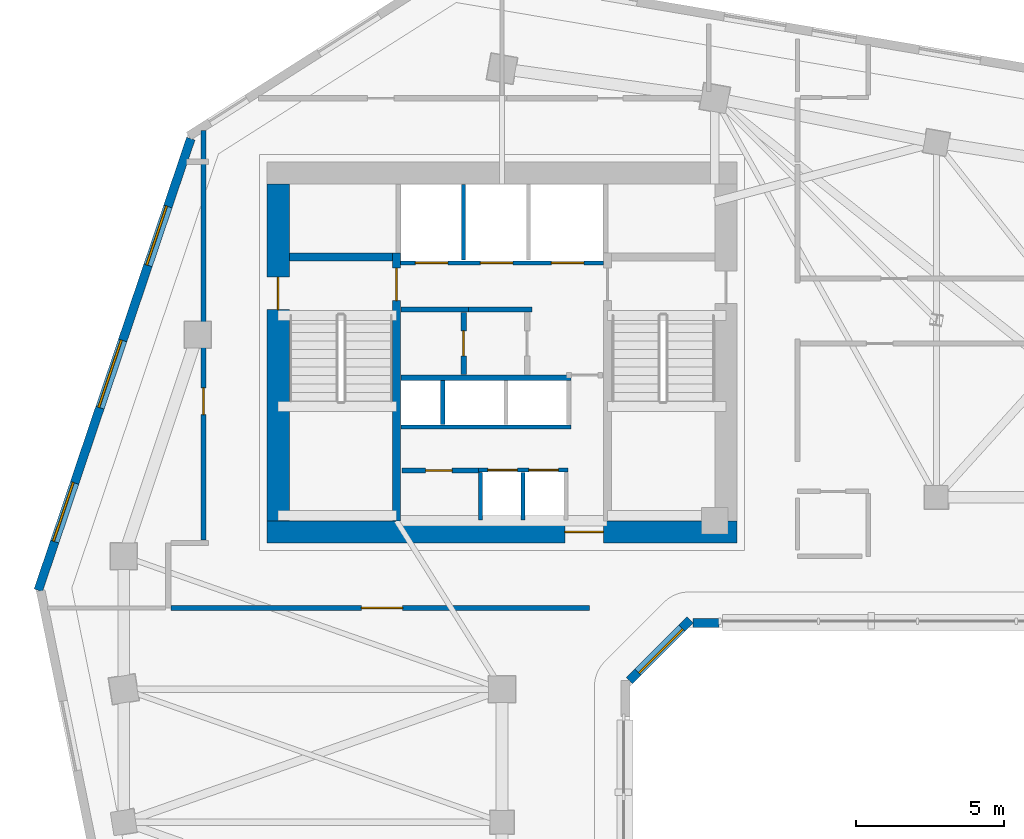
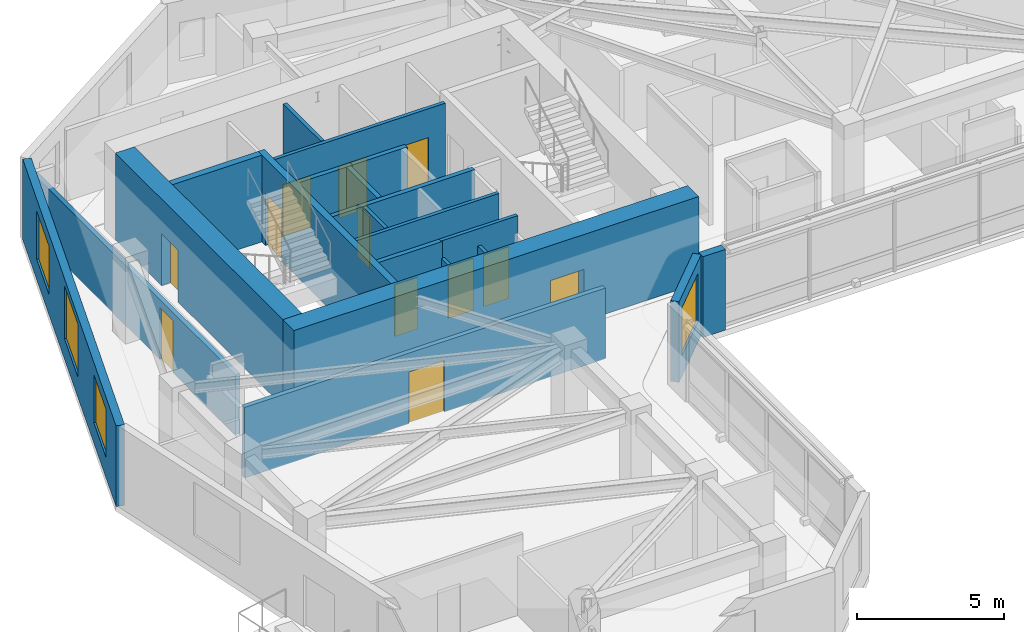
# One storey, part 5 of 11: 21 walls, 12 doors, 4 windows, 16 openings.
"""IFC4 building model written with IfcOpenShell, lengths in metres."""

from ifc_helpers import new_model, si_unit, direction, frame, frame_2d, origin, place, context, subcontext, project, spatial, rectangle, extrude, source, transform, mapped, material, layer, layer_set, type_object, element, fill, save


model = new_model("IFC4")

# Units and contexts
model_context = context("Model", 3, precision=1e-05, world=origin(), true_north=direction((0.0, 1.0)))
body_context = subcontext(model_context, "Body", "Model", "MODEL_VIEW")
ifc_project = project(units=[si_unit("LENGTHUNIT", "METRE"), si_unit("AREAUNIT", "SQUARE_METRE"), si_unit("VOLUMEUNIT", "CUBIC_METRE"), si_unit("PLANEANGLEUNIT", "RADIAN"), si_unit("MASSUNIT", "GRAM", prefix="KILO")], contexts=[model_context])

# Site, building, storey
site_placement = place(None, origin())
site = spatial("IfcSite", under=ifc_project, at=site_placement, CompositionType="ELEMENT")
building_placement = place(site_placement, origin())
building = spatial("IfcBuilding", under=site, at=building_placement, Name="Calvemar Wedge Station Tower", CompositionType="ELEMENT")
storey_placement = place(building_placement, frame((0.0, 0.0, 157.39990234375)))
storey = spatial("IfcBuildingStorey", under=building, at=storey_placement, Name="L39", CompositionType="ELEMENT", Elevation=157.39990234375)

# Wall, opening, door
ifc_material_1 = material(Name="Concrete C50", Category="concrete")
ifc_layer_1 = layer(ifc_material_1, 0.260009765625)
ifc_layer_set_1 = layer_set([ifc_layer_1], Name="Concrete C50")
wall_type_1 = type_object("IfcWallType", Name="SW-CORE-260", PredefinedType="SHEAR", material=ifc_layer_set_1)
wall_1_placement = place(storey_placement, frame((20.22998046875, 34.199951171875, 0.0), z_axis=(0.0, 0.0, 1.0), x_axis=(0.0, 1.0, 0.0)))
wall_1 = element("IfcWall", 1, at=wall_1_placement, inside=storey, type_object=wall_type_1, Name="Storey L39 Core Shear Wall SPINE-W", PredefinedType="SHEAR", context=body_context, shape_type="SweptSolid", body=[
    extrude(rectangle(XDim=9.06005859375, YDim=0.260009765625, at=frame_2d((4.530029296875, 0.0))), origin(), (0.0, 0.0, 1.0), 3.60009765625),
])
shared_shape_1 = source(origin(), body_context, "Body", "SweptSolid", [
    extrude(rectangle(XDim=1.10009765625, YDim=2.14990234375, at=frame_2d((0.550048828125, 1.074951171875))), frame((0.0, 0.14013671875, 0.0), z_axis=(0.0, -1.0, 0.0), x_axis=(1.0, 0.0, 0.0)), (0.0, 0.0, 1.0), 0.280029296875),
])
opening_1_placement = place(wall_1_placement, frame((7.449951171875, 0.0, 0.0)))
opening_1 = element("IfcOpeningElement", 2, at=opening_1_placement, cuts=wall_1, Name="Opening FD-90", PredefinedType="OPENING", context=body_context, shape_type="MappedRepresentation", body=[
    mapped(shared_shape_1, transform((0.0, 0.0, 0.0), scale=1.0)),
])
ifc_material_2 = material(Name="Galvanized fire-rated steel door leaf P-90", Category="steel")
door_type_1 = type_object("IfcDoorType", Name="DR-FD90-1100", OperationType="NOTDEFINED", PredefinedType="DOOR", material=ifc_material_2)
shared_shape_2 = source(origin(), body_context, "Body", "SweptSolid", [
    extrude(rectangle(XDim=1.10009765625, YDim=2.14990234375, at=frame_2d((0.550048828125, 1.074951171875))), frame((0.0, 0.02490234375, 0.0), z_axis=(0.0, -1.0, 0.0), x_axis=(1.0, 0.0, 0.0)), (0.0, 0.0, 1.0), 0.050048828125),
])
door_1_placement = place(opening_1_placement, origin())
door_1 = element("IfcDoor", 3, at=door_1_placement, inside=storey, type_object=door_type_1, Name="L39 FF Lobby to Stair ST-C1 Door", OperationType="SINGLE_SWING_RIGHT", OverallHeight=2.14990234375, OverallWidth=1.10009765625, PredefinedType="DOOR", context=body_context, shape_type="MappedRepresentation", body=[
    mapped(shared_shape_2, transform((0.0, 0.0, 0.0), scale=1.0)),
])
fill(opening_1, door_1)

# Wall
wall_2_placement = place(storey_placement, frame((16.60009765625, 43.1298828125, 0.0), z_axis=(0.0, 0.0, 1.0), x_axis=(1.0, 0.0, 0.0)))
element("IfcWall", 4, at=wall_2_placement, inside=storey, type_object=wall_type_1, Name="Storey L39 Core Shear Wall STC1-N", PredefinedType="SHEAR", context=body_context, shape_type="SweptSolid", body=[
    extrude(rectangle(XDim=3.5, YDim=0.260009765625, at=frame_2d((1.75, 0.0))), origin(), (0.0, 0.0, 1.0), 3.60009765625),
])

# Wall, opening, door
ifc_material_3 = material(Name="Concrete C70", Category="concrete")
ifc_layer_2 = layer(ifc_material_3, 0.75)
ifc_layer_set_2 = layer_set([ifc_layer_2], Name="Concrete C70")
wall_type_2 = type_object("IfcWallType", Name="SW-CORE-750", PredefinedType="SHEAR", material=ifc_layer_set_2)
wall_3_placement = place(storey_placement, frame((15.85009765625, 33.824951171875, 0.0), z_axis=(0.0, 0.0, 1.0), x_axis=(1.0, 0.0, 0.0)))
wall_3 = element("IfcWall", 5, at=wall_3_placement, inside=storey, type_object=wall_type_2, Name="Storey L39 Core Shear Wall S", PredefinedType="SHEAR", context=body_context, shape_type="SweptSolid", body=[
    extrude(rectangle(XDim=15.89990234375, YDim=0.75, at=frame_2d((7.949951171875, 0.0))), origin(), (0.0, 0.0, 1.0), 3.60009765625),
])
shared_shape_3 = source(origin(), body_context, "Body", "SweptSolid", [
    extrude(rectangle(XDim=1.300048828125, YDim=2.14990234375, at=frame_2d((0.64990234375, 1.074951171875))), frame((0.0, 0.385009765625, 0.0), z_axis=(0.0, -1.0, 0.0), x_axis=(1.0, 0.0, 0.0)), (0.0, 0.0, 1.0), 0.77001953125),
])
opening_2_placement = place(wall_3_placement, frame((10.080078125, 0.0, 0.0)))
opening_2 = element("IfcOpeningElement", 6, at=opening_2_placement, cuts=wall_3, Name="Opening DD-130", PredefinedType="OPENING", context=body_context, shape_type="MappedRepresentation", body=[
    mapped(shared_shape_3, transform((0.0, 0.0, 0.0), scale=1.0)),
])
ifc_material_4 = material(Name="Double-leaf lift lobby fire door EI 60")
door_type_2 = type_object("IfcDoorType", Name="DR-DBL-1300", OperationType="DOUBLE_DOOR_SINGLE_SWING", PredefinedType="DOOR", material=ifc_material_4)
shared_shape_4 = source(origin(), body_context, "Body", "SweptSolid", [
    extrude(rectangle(XDim=1.300048828125, YDim=2.14990234375, at=frame_2d((0.64990234375, 1.074951171875))), frame((0.0, 0.02490234375, 0.0), z_axis=(0.0, -1.0, 0.0), x_axis=(1.0, 0.0, 0.0)), (0.0, 0.0, 1.0), 0.050048828125),
])
door_2_placement = place(opening_2_placement, origin())
door_2 = element("IfcDoor", 7, at=door_2_placement, inside=storey, type_object=door_type_2, Name="L39 Passenger Lift Lobby Door", OperationType="DOUBLE_DOOR_SINGLE_SWING", OverallHeight=2.14990234375, OverallWidth=1.300048828125, PredefinedType="DOOR", context=body_context, shape_type="MappedRepresentation", body=[
    mapped(shared_shape_4, transform((0.0, 0.0, 0.0), scale=1.0)),
])
fill(opening_2, door_2)

wall_4_placement = place(storey_placement, frame((16.22509765625, 34.199951171875, 0.0), z_axis=(0.0, 0.0, 1.0), x_axis=(0.0, 1.0, 0.0)))
wall_4 = element("IfcWall", 8, at=wall_4_placement, inside=storey, type_object=wall_type_2, Name="Storey L39 Core Shear Wall W", PredefinedType="SHEAR", context=body_context, shape_type="SweptSolid", body=[
    extrude(rectangle(XDim=11.400146484375, YDim=0.75, at=frame_2d((5.7001953125, 0.0))), origin(), (0.0, 0.0, 1.0), 3.60009765625),
])
shared_shape_5 = source(origin(), body_context, "Body", "SweptSolid", [
    extrude(rectangle(XDim=1.10009765625, YDim=2.14990234375, at=frame_2d((0.550048828125, 1.074951171875))), frame((0.0, 0.385009765625, 0.0), z_axis=(0.0, -1.0, 0.0), x_axis=(1.0, 0.0, 0.0)), (0.0, 0.0, 1.0), 0.77001953125),
])
opening_3_placement = place(wall_4_placement, frame((7.14990234375, 0.0, 0.0)))
opening_3 = element("IfcOpeningElement", 9, at=opening_3_placement, cuts=wall_4, Name="Opening FD-90", PredefinedType="OPENING", context=body_context, shape_type="MappedRepresentation", body=[
    mapped(shared_shape_5, transform((0.0, 0.0, 0.0), scale=1.0)),
])
door_3_placement = place(opening_3_placement, origin())
door_3 = element("IfcDoor", 10, at=door_3_placement, inside=storey, type_object=door_type_1, Name="L39 West Corridor to Exit Stair ST-C1 Door", OperationType="SINGLE_SWING_RIGHT", OverallHeight=2.14990234375, OverallWidth=1.10009765625, PredefinedType="DOOR", context=body_context, shape_type="MappedRepresentation", body=[
    mapped(shared_shape_2, transform((0.0, 0.0, 0.0), scale=1.0)),
])
fill(opening_3, door_3)

# Walls
ifc_material_5 = material(Name="Double-stud fire-rated corridor partition")
ifc_layer_3 = layer(ifc_material_5, 0.179931640625)
ifc_layer_set_3 = layer_set([ifc_layer_3], Name="Double-stud fire-rated corridor partition")
wall_type_3 = type_object("IfcWallType", Name="W-CORR-180", PredefinedType="PARTITIONING", material=ifc_layer_set_3)
wall_5_placement = place(storey_placement, frame((22.659912109375, 41.35009765625, 0.0), z_axis=(0.0, 0.0, 1.0), x_axis=(-1.0, 0.0, 0.0)))
element("IfcWall", 11, at=wall_5_placement, inside=storey, type_object=wall_type_3, Name="Storey L39 Interior Partition WL-L39-001", PredefinedType="PARTITIONING", context=body_context, shape_type="SweptSolid", body=[
    extrude(rectangle(XDim=2.280029296875, YDim=0.179931640625, at=frame_2d((1.14013671875, 0.0))), origin(), (0.0, 0.0, 1.0), 3.35009765625),
])
wall_6_placement = place(storey_placement, frame((24.81005859375, 41.35009765625, 0.0), z_axis=(0.0, 0.0, 1.0), x_axis=(-1.0, 0.0, 0.0)))
element("IfcWall", 12, at=wall_6_placement, inside=storey, type_object=wall_type_3, Name="Storey L39 Interior Partition WL-L39-002", PredefinedType="PARTITIONING", context=body_context, shape_type="SweptSolid", body=[
    extrude(rectangle(XDim=2.14794921875, YDim=0.179931640625, at=frame_2d((1.073974609375, 0.0))), origin(), (0.0, 0.0, 1.0), 3.35009765625),
])

# Wall, opening, door
wall_7_placement = place(storey_placement, frame((22.5, 41.256103515625, 0.0), z_axis=(0.0, 0.0, 1.0), x_axis=(0.0, -1.0, 0.0)))
wall_7 = element("IfcWall", 13, at=wall_7_placement, inside=storey, type_object=wall_type_3, Name="Storey L39 Interior Partition WL-L39-003", PredefinedType="PARTITIONING", context=body_context, shape_type="SweptSolid", body=[
    extrude(rectangle(XDim=2.106201171875, YDim=0.179931640625, at=frame_2d((1.05322265625, 0.0))), origin(), (0.0, 0.0, 1.0), 3.35009765625),
])
shared_shape_6 = source(origin(), body_context, "Body", "SweptSolid", [
    extrude(rectangle(XDim=0.85009765625, YDim=2.14990234375, at=frame_2d((0.425048828125, 1.074951171875))), frame((0.0, 0.10009765625, 0.0), z_axis=(0.0, -1.0, 0.0), x_axis=(1.0, 0.0, 0.0)), (0.0, 0.0, 1.0), 0.199951171875),
])
opening_4_placement = place(wall_7_placement, frame((0.6279296875, 0.0, 0.0)))
opening_4 = element("IfcOpeningElement", 14, at=opening_4_placement, cuts=wall_7, Name="Opening FD-60S", PredefinedType="OPENING", context=body_context, shape_type="MappedRepresentation", body=[
    mapped(shared_shape_6, transform((0.0, 0.0, 0.0), scale=1.0)),
])
ifc_material_6 = material(Name="Fire-rated steel and hardwood service door EI 60", Category="steel")
door_type_3 = type_object("IfcDoorType", Name="DR-CORE-FD60-850", OperationType="NOTDEFINED", PredefinedType="DOOR", material=ifc_material_6)
shared_shape_7 = source(origin(), body_context, "Body", "SweptSolid", [
    extrude(rectangle(XDim=0.85009765625, YDim=2.14990234375, at=frame_2d((0.425048828125, 1.074951171875))), frame((0.0, 0.02490234375, 0.0), z_axis=(0.0, -1.0, 0.0), x_axis=(1.0, 0.0, 0.0)), (0.0, 0.0, 1.0), 0.050048828125),
])
door_4_placement = place(opening_4_placement, origin())
door_4 = element("IfcDoor", 15, at=door_4_placement, inside=storey, type_object=door_type_3, Name="L39 IT and Telecoms Room Door", OperationType="SINGLE_SWING_RIGHT", OverallHeight=2.14990234375, OverallWidth=0.85009765625, PredefinedType="DOOR", context=body_context, shape_type="MappedRepresentation", body=[
    mapped(shared_shape_7, transform((0.0, 0.0, 0.0), scale=1.0)),
])
fill(opening_4, door_4)

wall_8_placement = place(storey_placement, frame((20.419921875, 35.89990234375, 0.0), z_axis=(0.0, 0.0, 1.0), x_axis=(1.0, 0.0, 0.0)))
wall_8 = element("IfcWall", 16, at=wall_8_placement, inside=storey, type_object=wall_type_3, Name="Storey L39 Interior Partition WL-L39-006", PredefinedType="PARTITIONING", context=body_context, shape_type="SweptSolid", body=[
    extrude(rectangle(XDim=2.6201171875, YDim=0.179931640625, at=frame_2d((1.31005859375, 0.0))), origin(), (0.0, 0.0, 1.0), 3.35009765625),
])
shared_shape_8 = source(origin(), body_context, "Body", "SweptSolid", [
    extrude(rectangle(XDim=0.89990234375, YDim=2.14990234375, at=frame_2d((0.449951171875, 1.074951171875))), frame((0.0, 0.10009765625, 0.0), z_axis=(0.0, -1.0, 0.0), x_axis=(1.0, 0.0, 0.0)), (0.0, 0.0, 1.0), 0.199951171875),
])
opening_5_placement = place(wall_8_placement, frame((0.795654296875, 0.0, 0.0)))
opening_5 = element("IfcOpeningElement", 17, at=opening_5_placement, cuts=wall_8, Name="Opening FD-60", PredefinedType="OPENING", context=body_context, shape_type="MappedRepresentation", body=[
    mapped(shared_shape_8, transform((0.0, 0.0, 0.0), scale=1.0)),
])
ifc_material_7 = material(Name="Fire-rated acoustic timber-core entrance door EI 60", Category="wood")
door_type_4 = type_object("IfcDoorType", Name="DR-FD60-900", OperationType="NOTDEFINED", PredefinedType="DOOR", material=ifc_material_7)
shared_shape_9 = source(origin(), body_context, "Body", "SweptSolid", [
    extrude(rectangle(XDim=0.89990234375, YDim=2.14990234375, at=frame_2d((0.449951171875, 1.074951171875))), frame((0.0, 0.02490234375, 0.0), z_axis=(0.0, -1.0, 0.0), x_axis=(1.0, 0.0, 0.0)), (0.0, 0.0, 1.0), 0.050048828125),
])
door_5_placement = place(opening_5_placement, origin())
door_5 = element("IfcDoor", 18, at=door_5_placement, inside=storey, type_object=door_type_4, Name="L39 Housekeeping Store Door", OperationType="SINGLE_SWING_LEFT", OverallHeight=2.14990234375, OverallWidth=0.89990234375, PredefinedType="DOOR", context=body_context, shape_type="MappedRepresentation", body=[
    mapped(shared_shape_9, transform((0.0, 0.0, 0.0), scale=1.0)),
])
fill(opening_5, door_5)

wall_9_placement = place(storey_placement, frame((26.760009765625, 31.25, 0.0), z_axis=(0.0, 0.0, 1.0), x_axis=(-1.0, 0.0, 0.0)))
wall_9 = element("IfcWall", 19, at=wall_9_placement, inside=storey, type_object=wall_type_3, Name="Storey L39 Interior Partition WL-L39-009", PredefinedType="PARTITIONING", context=body_context, shape_type="SweptSolid", body=[
    extrude(rectangle(XDim=14.166015625, YDim=0.179931640625, at=frame_2d((7.0830078125, 0.0))), origin(), (0.0, 0.0, 1.0), 2.93505859375),
])
shared_shape_10 = source(origin(), body_context, "Body", "SweptSolid", [
    extrude(rectangle(XDim=1.39990234375, YDim=2.14990234375, at=frame_2d((0.699951171875, 1.074951171875))), frame((0.0, 0.10009765625, 0.0), z_axis=(0.0, -1.0, 0.0), x_axis=(1.0, 0.0, 0.0)), (0.0, 0.0, 1.0), 0.199951171875),
])
opening_6_placement = place(wall_9_placement, frame((6.322509765625, 0.0, 0.0)))
opening_6 = element("IfcOpeningElement", 20, at=opening_6_placement, cuts=wall_9, Name="Opening DD-140", PredefinedType="OPENING", context=body_context, shape_type="MappedRepresentation", body=[
    mapped(shared_shape_10, transform((0.0, 0.0, 0.0), scale=1.0)),
])
ifc_material_8 = material(Name="Double-leaf corridor acoustic fire door EI 60")
door_type_5 = type_object("IfcDoorType", Name="DR-DBL-1400", OperationType="DOUBLE_DOOR_SINGLE_SWING", PredefinedType="DOOR", material=ifc_material_8)
shared_shape_11 = source(origin(), body_context, "Body", "SweptSolid", [
    extrude(rectangle(XDim=1.39990234375, YDim=2.14990234375, at=frame_2d((0.699951171875, 1.074951171875))), frame((0.0, 0.02490234375, 0.0), z_axis=(0.0, -1.0, 0.0), x_axis=(1.0, 0.0, 0.0)), (0.0, 0.0, 1.0), 0.050048828125),
])
door_6_placement = place(opening_6_placement, origin())
door_6 = element("IfcDoor", 21, at=door_6_placement, inside=storey, type_object=door_type_5, Name="L39 Sky Spa Wellness Lounge Door", OperationType="SINGLE_SWING_LEFT", OverallHeight=2.14990234375, OverallWidth=1.39990234375, PredefinedType="DOOR", context=body_context, shape_type="MappedRepresentation", body=[
    mapped(shared_shape_11, transform((0.0, 0.0, 0.0), scale=1.0)),
])
fill(opening_6, door_6)

wall_10_placement = place(storey_placement, frame((13.699951171875, 33.5439453125, 0.0), z_axis=(0.0, 0.0, 1.0), x_axis=(0.0, 1.0, 0.0)))
wall_10 = element("IfcWall", 22, at=wall_10_placement, inside=storey, type_object=wall_type_3, Name="Storey L39 Interior Partition WL-L39-010", PredefinedType="PARTITIONING", context=body_context, shape_type="SweptSolid", body=[
    extrude(rectangle(XDim=13.860107421875, YDim=0.179931640625, at=frame_2d((6.93017578125, 0.0))), origin(), (0.0, 0.0, 1.0), 2.4921875),
])
opening_7_placement = place(wall_10_placement, frame((4.252685546875, 0.0, 0.0)))
opening_7 = element("IfcOpeningElement", 23, at=opening_7_placement, cuts=wall_10, Name="Opening D-01", PredefinedType="OPENING", context=body_context, shape_type="MappedRepresentation", body=[
    mapped(shared_shape_8, transform((0.0, 0.0, 0.0), scale=1.0)),
])
ifc_material_9 = material(Name="Architectural hardwood acoustic swing door", Category="wood")
door_type_6 = type_object("IfcDoorType", Name="DR-INT-900", OperationType="NOTDEFINED", PredefinedType="DOOR", material=ifc_material_9)
shared_shape_12 = source(origin(), body_context, "Body", "SweptSolid", [
    extrude(rectangle(XDim=0.89990234375, YDim=2.14990234375, at=frame_2d((0.449951171875, 1.074951171875))), frame((0.0, 0.02490234375, 0.0), z_axis=(0.0, -1.0, 0.0), x_axis=(1.0, 0.0, 0.0)), (0.0, 0.0, 1.0), 0.050048828125),
])
door_7_placement = place(opening_7_placement, origin())
door_7 = element("IfcDoor", 24, at=door_7_placement, inside=storey, type_object=door_type_6, Name="L39 Executive Lounge Door", OperationType="SINGLE_SWING_RIGHT", OverallHeight=2.14990234375, OverallWidth=0.89990234375, PredefinedType="DOOR", context=body_context, shape_type="MappedRepresentation", body=[
    mapped(shared_shape_12, transform((0.0, 0.0, 0.0), scale=1.0)),
])
fill(opening_7, door_7)

# Wall, opening, window
ifc_material_10 = material(Name="Precast concrete C45", Category="concrete")
ifc_layer_4 = layer(ifc_material_10, 0.300048828125)
ifc_layer_set_4 = layer_set([ifc_layer_4], Name="Precast concrete C45")
wall_type_4 = type_object("IfcWallType", Name="W-EXT-GFRC-300", PredefinedType="SOLIDWALL", material=ifc_layer_set_4)
wall_11_placement = place(storey_placement, frame((28.115966796875, 28.7919921875, 0.0), z_axis=(0.0, 0.0, 1.0), x_axis=(0.707064797706, 0.707148762175, 0.0)))
wall_11 = element("IfcWall", 25, at=wall_11_placement, inside=storey, type_object=wall_type_4, Name="Storey L39 Bronze GFRC Exterior Wall 5", PredefinedType="SOLIDWALL", context=body_context, shape_type="SweptSolid", body=[
    extrude(rectangle(XDim=2.90771484375, YDim=0.300048828125, at=frame_2d((1.453857421875, 0.0))), origin(), (0.0, 0.0, 1.0), 3.35009765625),
])
shared_shape_13 = source(origin(), body_context, "Body", "SweptSolid", [
    extrude(rectangle(XDim=2.10009765625, YDim=2.0, at=frame_2d((1.050048828125, 1.0))), frame((0.0, 0.16015625, 0.0), z_axis=(0.0, -1.0, 0.0), x_axis=(1.0, 0.0, 0.0)), (0.0, 0.0, 1.0), 0.320068359375),
])
opening_8_placement = place(wall_11_placement, frame((0.404052734375, 0.0, 0.85009765625)))
opening_8 = element("IfcOpeningElement", 26, at=opening_8_placement, cuts=wall_11, Name="Opening W4", PredefinedType="OPENING", context=body_context, shape_type="MappedRepresentation", body=[
    mapped(shared_shape_13, transform((0.0, 0.0, 0.0), scale=1.0)),
])
ifc_material_11 = material(Name="Low-E laminated insulated glass", Category="glass")
window_type_1 = type_object("IfcWindowType", Name="WIN-EXT-4", PartitioningType="SINGLE_PANEL", PredefinedType="WINDOW", material=ifc_material_11)
shared_shape_14 = source(origin(), body_context, "Body", "SweptSolid", [
    extrude(rectangle(XDim=2.10009765625, YDim=2.0, at=frame_2d((1.050048828125, 1.0))), frame((0.0, -0.014892578125, 0.0), z_axis=(0.0, -1.0, 0.0), x_axis=(1.0, 0.0, 0.0)), (0.0, 0.0, 1.0), 0.06005859375),
])
window_1_placement = place(opening_8_placement, origin())
window_1 = element("IfcWindow", 27, at=window_1_placement, inside=storey, type_object=window_type_1, Name="Storey L39 Recessed Window 5.1", OverallHeight=2.0, OverallWidth=2.10009765625, PartitioningType="SINGLE_PANEL", PredefinedType="WINDOW", context=body_context, shape_type="MappedRepresentation", body=[
    mapped(shared_shape_14, transform((0.0, 0.0, 0.0), scale=1.0)),
])
fill(opening_8, window_1)

# Wall
wall_12_placement = place(storey_placement, frame((30.260986328125, 30.741943359375, 0.0), z_axis=(0.0, 0.0, 1.0), x_axis=(1.0, 0.0, 0.0)))
element("IfcWall", 28, at=wall_12_placement, inside=storey, type_object=wall_type_4, Name="Storey L39 Bronze GFRC Corner Pier 6A", PredefinedType="SOLIDWALL", context=body_context, shape_type="SweptSolid", body=[
    extrude(rectangle(XDim=0.88232421875, YDim=0.300048828125, at=frame_2d((0.441162109375, 0.0))), origin(), (0.0, 0.0, 1.0), 3.35009765625),
])

# Wall, openings, windows
wall_13_placement = place(storey_placement, frame((13.2685546875, 47.1337890625, 0.0), z_axis=(0.0, 0.0, 1.0), x_axis=(-0.319929773322, -0.947441259468, 0.0)))
wall_13 = element("IfcWall", 29, at=wall_13_placement, inside=storey, type_object=wall_type_4, Name="Storey L39 Bronze GFRC Exterior Wall 12", PredefinedType="SOLIDWALL", context=body_context, shape_type="SweptSolid", body=[
    extrude(rectangle(XDim=16.133544921875, YDim=0.300048828125, at=frame_2d((8.06689453125, 0.0))), origin(), (0.0, 0.0, 1.0), 3.35009765625),
])
opening_9_placement = place(wall_13_placement, frame((2.426025390625, 0.0, 0.85009765625)))
opening_9 = element("IfcOpeningElement", 30, at=opening_9_placement, cuts=wall_13, Name="Opening W4", PredefinedType="OPENING", context=body_context, shape_type="MappedRepresentation", body=[
    mapped(shared_shape_13, transform((0.0, 0.0, 0.0), scale=1.0)),
])
shared_shape_15 = source(origin(), body_context, "Body", "SweptSolid", [
    extrude(rectangle(XDim=2.39990234375, YDim=2.199951171875, at=frame_2d((1.199951171875, 1.10009765625))), frame((0.0, 0.16015625, 0.0), z_axis=(0.0, -1.0, 0.0), x_axis=(1.0, 0.0, 0.0)), (0.0, 0.0, 1.0), 0.320068359375),
])
opening_10_placement = place(wall_13_placement, frame((7.2109375, 0.0, 0.85009765625)))
opening_10 = element("IfcOpeningElement", 31, at=opening_10_placement, cuts=wall_13, Name="Opening W1", PredefinedType="OPENING", context=body_context, shape_type="MappedRepresentation", body=[
    mapped(shared_shape_15, transform((0.0, 0.0, 0.0), scale=1.0)),
])
opening_11_placement = place(wall_13_placement, frame((12.2958984375, 0.0, 0.85009765625)))
opening_11 = element("IfcOpeningElement", 32, at=opening_11_placement, cuts=wall_13, Name="Opening W4", PredefinedType="OPENING", context=body_context, shape_type="MappedRepresentation", body=[
    mapped(shared_shape_13, transform((0.0, 0.0, 0.0), scale=1.0)),
])
window_2_placement = place(opening_9_placement, origin())
window_2 = element("IfcWindow", 33, at=window_2_placement, inside=storey, type_object=window_type_1, Name="Storey L39 Recessed Window 12.1", OverallHeight=2.0, OverallWidth=2.10009765625, PartitioningType="SINGLE_PANEL", PredefinedType="WINDOW", context=body_context, shape_type="MappedRepresentation", body=[
    mapped(shared_shape_14, transform((0.0, 0.0, 0.0), scale=1.0)),
])
fill(opening_9, window_2)
window_3_placement = place(opening_11_placement, origin())
window_3 = element("IfcWindow", 34, at=window_3_placement, inside=storey, type_object=window_type_1, Name="Storey L39 Recessed Window 12.3", OverallHeight=2.0, OverallWidth=2.10009765625, PartitioningType="SINGLE_PANEL", PredefinedType="WINDOW", context=body_context, shape_type="MappedRepresentation", body=[
    mapped(shared_shape_14, transform((0.0, 0.0, 0.0), scale=1.0)),
])
fill(opening_11, window_3)
window_type_2 = type_object("IfcWindowType", Name="WIN-EXT-1", PartitioningType="SINGLE_PANEL", PredefinedType="WINDOW", material=ifc_material_11)
shared_shape_16 = source(origin(), body_context, "Body", "SweptSolid", [
    extrude(rectangle(XDim=2.39990234375, YDim=2.199951171875, at=frame_2d((1.199951171875, 1.10009765625))), frame((0.0, -0.014892578125, 0.0), z_axis=(0.0, -1.0, 0.0), x_axis=(1.0, 0.0, 0.0)), (0.0, 0.0, 1.0), 0.06005859375),
])
window_4_placement = place(opening_10_placement, origin())
window_4 = element("IfcWindow", 35, at=window_4_placement, inside=storey, type_object=window_type_2, Name="Storey L39 Recessed Window 12.2", OverallHeight=2.199951171875, OverallWidth=2.39990234375, PartitioningType="SINGLE_PANEL", PredefinedType="WINDOW", context=body_context, shape_type="MappedRepresentation", body=[
    mapped(shared_shape_16, transform((0.0, 0.0, 0.0), scale=1.0)),
])
fill(opening_10, window_4)

# Wall, openings, doors
ifc_material_12 = material(Name="Reinforced concrete blockwork lift shaft wall", Category="masonry")
ifc_layer_5 = layer(ifc_material_12, 0.139892578125)
ifc_layer_set_5 = layer_set([ifc_layer_5], Name="Reinforced concrete blockwork lift shaft wall")
wall_type_5 = type_object("IfcWallType", Name="W-LIFT-160", PredefinedType="SOLIDWALL", material=ifc_layer_set_5)
wall_14_placement = place(storey_placement, frame((20.3701171875, 42.929931640625, 0.0), z_axis=(0.0, 0.0, 1.0), x_axis=(1.0, 0.0, 0.0)))
wall_14 = element("IfcWall", 36, at=wall_14_placement, inside=storey, type_object=wall_type_5, Name="Storey L39 Firefighting and Service Lift Shaft Front Wall", PredefinedType="SOLIDWALL", context=body_context, shape_type="SweptSolid", body=[
    extrude(rectangle(XDim=6.85986328125, YDim=0.139892578125, at=frame_2d((3.429931640625, 0.0))), origin(), (0.0, 0.0, 1.0), 3.35009765625),
])
shared_shape_17 = source(origin(), body_context, "Body", "SweptSolid", [
    extrude(rectangle(XDim=1.10009765625, YDim=2.14990234375, at=frame_2d((0.550048828125, 1.074951171875))), frame((0.0, 0.080078125, 0.0), z_axis=(0.0, -1.0, 0.0), x_axis=(1.0, 0.0, 0.0)), (0.0, 0.0, 1.0), 0.159912109375),
])
opening_12_placement = place(wall_14_placement, frame((0.5, 0.0, 0.0)))
opening_12 = element("IfcOpeningElement", 37, at=opening_12_placement, cuts=wall_14, Name="Opening LD-FF", PredefinedType="OPENING", context=body_context, shape_type="MappedRepresentation", body=[
    mapped(shared_shape_17, transform((0.0, 0.0, 0.0), scale=1.0)),
])
opening_13_placement = place(wall_14_placement, frame((2.699951171875, 0.0, 0.0)))
opening_13 = element("IfcOpeningElement", 38, at=opening_13_placement, cuts=wall_14, Name="Opening LD-FF", PredefinedType="OPENING", context=body_context, shape_type="MappedRepresentation", body=[
    mapped(shared_shape_17, transform((0.0, 0.0, 0.0), scale=1.0)),
])
opening_14_placement = place(wall_14_placement, frame((5.10009765625, 0.0, 0.0)))
opening_14 = element("IfcOpeningElement", 39, at=opening_14_placement, cuts=wall_14, Name="Opening LD-STN", PredefinedType="OPENING", context=body_context, shape_type="MappedRepresentation", body=[
    mapped(shared_shape_17, transform((0.0, 0.0, 0.0), scale=1.0)),
])
ifc_material_13 = material(Name="Stainless steel firefighting lift sliding landing door", Category="steel")
door_type_7 = type_object("IfcDoorType", Name="DR-LD-FF-1100", OperationType="SLIDING_TO_LEFT", PredefinedType="DOOR", material=ifc_material_13)
shared_shape_18 = source(origin(), body_context, "Body", "SweptSolid", [
    extrude(rectangle(XDim=1.10009765625, YDim=2.14990234375, at=frame_2d((0.550048828125, 1.074951171875))), frame((0.0, 0.02490234375, 0.0), z_axis=(0.0, -1.0, 0.0), x_axis=(1.0, 0.0, 0.0)), (0.0, 0.0, 1.0), 0.050048828125),
])
door_8_placement = place(opening_12_placement, origin())
door_8 = element("IfcDoor", 40, at=door_8_placement, inside=storey, type_object=door_type_7, Name="L39 Lift FF-01 Sliding Landing Door", OperationType="SLIDING_TO_LEFT", OverallHeight=2.14990234375, OverallWidth=1.10009765625, PredefinedType="DOOR", context=body_context, shape_type="MappedRepresentation", body=[
    mapped(shared_shape_18, transform((0.0, 0.0, 0.0), scale=1.0)),
])
fill(opening_12, door_8)
door_9_placement = place(opening_13_placement, origin())
door_9 = element("IfcDoor", 41, at=door_9_placement, inside=storey, type_object=door_type_7, Name="L39 Lift FF-02 Sliding Landing Door", OperationType="SLIDING_TO_RIGHT", OverallHeight=2.14990234375, OverallWidth=1.10009765625, PredefinedType="DOOR", context=body_context, shape_type="MappedRepresentation", body=[
    mapped(shared_shape_18, transform((0.0, 0.0, 0.0), scale=1.0)),
])
fill(opening_13, door_9)
ifc_material_14 = material(Name="Stainless steel transit lift sliding landing door", Category="steel")
door_type_8 = type_object("IfcDoorType", Name="DR-LD-PAX-1100", OperationType="SLIDING_TO_LEFT", PredefinedType="DOOR", material=ifc_material_14)
shared_shape_19 = source(origin(), body_context, "Body", "SweptSolid", [
    extrude(rectangle(XDim=1.10009765625, YDim=2.14990234375, at=frame_2d((0.550048828125, 1.074951171875))), frame((0.0, 0.02490234375, 0.0), z_axis=(0.0, -1.0, 0.0), x_axis=(1.0, 0.0, 0.0)), (0.0, 0.0, 1.0), 0.050048828125),
])
door_10_placement = place(opening_14_placement, origin())
door_10 = element("IfcDoor", 42, at=door_10_placement, inside=storey, type_object=door_type_8, Name="L39 Lift SV-01 Sliding Landing Door", OperationType="SLIDING_TO_LEFT", OverallHeight=2.14990234375, OverallWidth=1.10009765625, PredefinedType="DOOR", context=body_context, shape_type="MappedRepresentation", body=[
    mapped(shared_shape_19, transform((0.0, 0.0, 0.0), scale=1.0)),
])
fill(opening_14, door_10)

# Wall
wall_15_placement = place(storey_placement, frame((22.5, 43.02001953125, 0.0), z_axis=(0.0, 0.0, 1.0), x_axis=(0.0, 1.0, 0.0)))
element("IfcWall", 43, at=wall_15_placement, inside=storey, type_object=wall_type_5, Name="Storey L39 Firefighting Lift Shaft Enclosure Wall D1", PredefinedType="SOLIDWALL", context=body_context, shape_type="SweptSolid", body=[
    extrude(rectangle(XDim=2.56005859375, YDim=0.139892578125, at=frame_2d((1.280029296875, 0.0))), origin(), (0.0, 0.0, 1.0), 3.35009765625),
])

# Wall, openings, doors
wall_16_placement = place(storey_placement, frame((23.0, 35.919921875, 0.0), z_axis=(0.0, 0.0, 1.0), x_axis=(1.0, 0.0, 0.0)))
wall_16 = element("IfcWall", 44, at=wall_16_placement, inside=storey, type_object=wall_type_5, Name="Storey L39 South Passenger Lift Bank Front Wall", PredefinedType="SOLIDWALL", context=body_context, shape_type="SweptSolid", body=[
    extrude(rectangle(XDim=3.030029296875, YDim=0.139892578125, at=frame_2d((1.51513671875, 0.0))), origin(), (0.0, 0.0, 1.0), 3.35009765625),
])
shared_shape_20 = source(origin(), body_context, "Body", "SweptSolid", [
    extrude(rectangle(XDim=1.0, YDim=2.14990234375, at=frame_2d((0.5, 1.074951171875))), frame((0.0, 0.080078125, 0.0), z_axis=(0.0, -1.0, 0.0), x_axis=(1.0, 0.0, 0.0)), (0.0, 0.0, 1.0), 0.159912109375),
])
opening_15_placement = place(wall_16_placement, frame((0.320068359375, 0.0, 0.0)))
opening_15 = element("IfcOpeningElement", 45, at=opening_15_placement, cuts=wall_16, Name="Opening LD-PAX", PredefinedType="OPENING", context=body_context, shape_type="MappedRepresentation", body=[
    mapped(shared_shape_20, transform((0.0, 0.0, 0.0), scale=1.0)),
])
opening_16_placement = place(wall_16_placement, frame((1.7099609375, 0.0, 0.0)))
opening_16 = element("IfcOpeningElement", 46, at=opening_16_placement, cuts=wall_16, Name="Opening LD-PAX", PredefinedType="OPENING", context=body_context, shape_type="MappedRepresentation", body=[
    mapped(shared_shape_20, transform((0.0, 0.0, 0.0), scale=1.0)),
])
ifc_material_15 = material(Name="Anodised bronze passenger lift sliding landing door")
door_type_9 = type_object("IfcDoorType", Name="DR-LD-PAX-1000", OperationType="SLIDING_TO_LEFT", PredefinedType="DOOR", material=ifc_material_15)
shared_shape_21 = source(origin(), body_context, "Body", "SweptSolid", [
    extrude(rectangle(XDim=1.0, YDim=2.14990234375, at=frame_2d((0.5, 1.074951171875))), frame((0.0, 0.02490234375, 0.0), z_axis=(0.0, -1.0, 0.0), x_axis=(1.0, 0.0, 0.0)), (0.0, 0.0, 1.0), 0.050048828125),
])
door_11_placement = place(opening_15_placement, origin())
door_11 = element("IfcDoor", 47, at=door_11_placement, inside=storey, type_object=door_type_9, Name="L39 Lift HL-01 Sliding Landing Door", OperationType="SLIDING_TO_LEFT", OverallHeight=2.14990234375, OverallWidth=1.0, PredefinedType="DOOR", context=body_context, shape_type="MappedRepresentation", body=[
    mapped(shared_shape_21, transform((0.0, 0.0, 0.0), scale=1.0)),
])
fill(opening_15, door_11)
door_12_placement = place(opening_16_placement, origin())
door_12 = element("IfcDoor", 48, at=door_12_placement, inside=storey, type_object=door_type_9, Name="L39 Lift HL-02 Sliding Landing Door", OperationType="SLIDING_TO_RIGHT", OverallHeight=2.14990234375, OverallWidth=1.0, PredefinedType="DOOR", context=body_context, shape_type="MappedRepresentation", body=[
    mapped(shared_shape_21, transform((0.0, 0.0, 0.0), scale=1.0)),
])
fill(opening_16, door_12)

# Walls
for number, where, z_axis, x_axis, name in (
    (49, (23.070068359375, 34.219970703125, 0.0), (0.0, 0.0, 1.0), (0.0, 1.0, 0.0), "Storey L39 South Passenger Lift Shaft Wall W"),
    (50, (24.514892578125, 34.219970703125, 0.0), (0.0, 0.0, 1.0), (0.0, 1.0, 0.0), "Storey L39 South Passenger Lift Shaft Wall D1"),
):
    element("IfcWall", number, at=place(storey_placement, frame(where, z_axis=z_axis, x_axis=x_axis)), inside=storey, type_object=wall_type_5, Name=name, PredefinedType="SOLIDWALL", context=body_context, shape_type="SweptSolid", body=[
        extrude(rectangle(XDim=1.6201171875, YDim=0.139892578125, at=frame_2d((0.81005859375, 0.0))), origin(), (0.0, 0.0, 1.0), 2.64208984375),
    ])
wall_17_placement = place(storey_placement, frame((20.3798828125, 37.3798828125, 0.0), z_axis=(0.0, 0.0, 1.0), x_axis=(1.0, 0.0, 0.0)))
element("IfcWall", 51, at=wall_17_placement, inside=storey, type_object=wall_type_5, Name="Storey L39 Upper Passenger Lift Bank Front Wall", PredefinedType="SOLIDWALL", context=body_context, shape_type="SweptSolid", body=[
    extrude(rectangle(XDim=5.75, YDim=0.139892578125, at=frame_2d((2.875, 0.0))), origin(), (0.0, 0.0, 1.0), 3.35009765625),
])
wall_18_placement = place(storey_placement, frame((21.794921875, 37.4599609375, 0.0), z_axis=(0.0, 0.0, 1.0), x_axis=(0.0, 1.0, 0.0)))
element("IfcWall", 52, at=wall_18_placement, inside=storey, type_object=wall_type_5, Name="Storey L39 Upper Passenger Lift Shaft Wall D1", PredefinedType="SOLIDWALL", context=body_context, shape_type="SweptSolid", body=[
    extrude(rectangle(XDim=1.47998046875, YDim=0.139892578125, at=frame_2d((0.739990234375, 0.0))), origin(), (0.0, 0.0, 1.0), 3.35009765625),
])
ifc_material_16 = material(Name="Concrete blockwork and fireboard shaft wall", Category="masonry")
ifc_layer_6 = layer(ifc_material_16, 0.199951171875)
ifc_layer_set_6 = layer_set([ifc_layer_6], Name="Concrete blockwork and fireboard shaft wall")
wall_type_6 = type_object("IfcWallType", Name="W-SHAFT-200", PredefinedType="SOLIDWALL", material=ifc_layer_set_6)
wall_19_placement = place(storey_placement, frame((20.3798828125, 39.0400390625, 0.0), z_axis=(0.0, 0.0, 1.0), x_axis=(1.0, 0.0, 0.0)))
element("IfcWall", 53, at=wall_19_placement, inside=storey, type_object=wall_type_6, Name="Storey L39 Upper Passenger Lift Bank Rear Shaft Wall", PredefinedType="SOLIDWALL", context=body_context, shape_type="SweptSolid", body=[
    extrude(rectangle(XDim=5.75, YDim=0.179931640625, at=frame_2d((2.875, 0.0))), origin(), (0.0, 0.0, 1.0), 3.35009765625),
])

save(model, "model.ifc")
